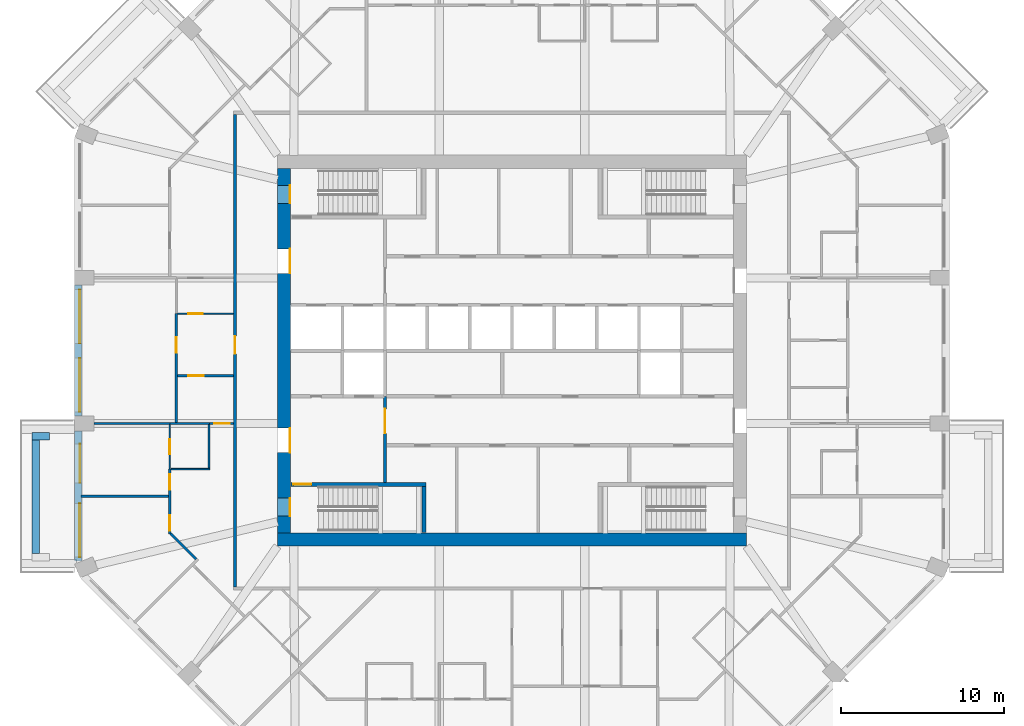
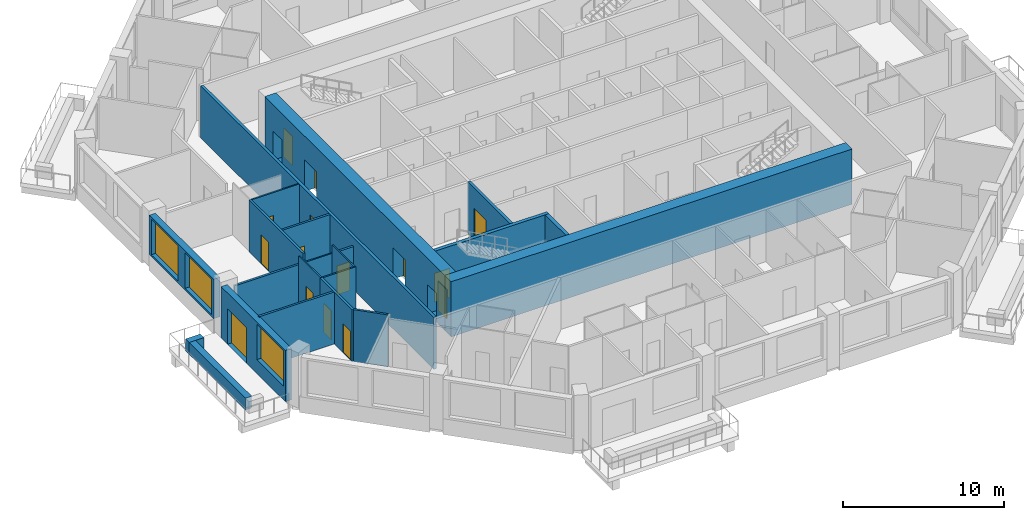
# One storey, part 4 of 12: 22 walls, 15 doors, 3 windows, 18 openings.
"""IFC4 building model written with IfcOpenShell, lengths in metres."""

from ifc_helpers import new_model, si_unit, direction, frame, frame_2d, origin, place, context, subcontext, project, spatial, rectangle, extrude, material, layer, layer_set, type_object, element, fill, save


model = new_model("IFC4")

# Units and contexts
model_context = context("Model", 3, precision=1e-05, world=origin(), true_north=direction((0.0, 1.0)))
body_context = subcontext(model_context, "Body", "Model", "MODEL_VIEW")
ifc_project = project(units=[si_unit("LENGTHUNIT", "METRE"), si_unit("AREAUNIT", "SQUARE_METRE"), si_unit("VOLUMEUNIT", "CUBIC_METRE"), si_unit("PLANEANGLEUNIT", "RADIAN"), si_unit("MASSUNIT", "GRAM", prefix="KILO")], contexts=[model_context])

# Site, building, storey
site_placement = place(None, origin())
site = spatial("IfcSite", under=ifc_project, at=site_placement, CompositionType="ELEMENT")
building_placement = place(site_placement, origin())
building = spatial("IfcBuilding", under=site, at=building_placement, Name="Msitu Wima Residences", CompositionType="ELEMENT")
storey_placement = place(building_placement, frame((0.0, 0.0, 127.5)))
storey = spatial("IfcBuildingStorey", under=building, at=storey_placement, Name="L29", CompositionType="ELEMENT", Elevation=127.5)

# Walls
ifc_material_1 = material(Name="Facing brick")
ifc_layer_1 = layer(ifc_material_1, 0.06494140625, Name="Facing brick")
ifc_material_2 = material(Name="Concrete C40/50", Category="concrete")
ifc_layer_2 = layer(ifc_material_2, 0.156005859375, Name="Concrete C40/50")
ifc_material_3 = material(Name="Waterproofing membrane")
ifc_layer_3 = layer(ifc_material_3, 0.00390625, Name="Waterproofing membrane")
ifc_material_4 = material(Name="Planting soil and planting")
ifc_layer_4 = layer(ifc_material_4, 0.22509765625, Name="Planting soil and planting")
ifc_layer_set_1 = layer_set([ifc_layer_1, ifc_layer_2, ifc_layer_3, ifc_layer_4], Name="Concrete C40/50")
wall_type_1 = type_object("IfcWallType", Name="Balcony planter PLANTER PL450", PredefinedType="USERDEFINED", material=ifc_layer_set_1)
wall_1_placement = place(storey_placement, frame((-29.22509765625, -5.468505859375, 0.0), z_axis=(0.0, 0.0, 1.0), x_axis=(0.0, -1.0, 0.0)))
element("IfcWall", 1, at=wall_1_placement, inside=storey, type_object=wall_type_1, Name="Balcony planter W2 L29", ObjectType="PLANTER", PredefinedType="USERDEFINED", context=body_context, shape_type="SweptSolid", body=[
    extrude(rectangle(XDim=6.9873046875, YDim=0.449951171875, at=frame_2d((3.49365234375, 0.0))), origin(), (0.0, 0.0, 1.0), 0.89990234375),
])
wall_2_placement = place(storey_placement, frame((-28.39990234375, -5.24365234375, 0.0), z_axis=(0.0, 0.0, 1.0), x_axis=(-1.0, 0.0, 0.0)))
element("IfcWall", 2, at=wall_2_placement, inside=storey, type_object=wall_type_1, Name="Balcony planter W2 L29", ObjectType="PLANTER", PredefinedType="USERDEFINED", context=body_context, shape_type="SweptSolid", body=[
    extrude(rectangle(XDim=1.050048828125, YDim=0.449951171875, at=frame_2d((0.52490234375, 0.0))), origin(), (0.0, 0.0, 1.0), 0.89990234375),
])

# Wall, openings, windows
ifc_material_5 = material(Name="Brick (red buff mix)", Category="masonry")
ifc_layer_5 = layer(ifc_material_5, 0.449951171875)
ifc_layer_set_2 = layer_set([ifc_layer_5], Name="Brick (red buff mix)")
wall_type_2 = type_object("IfcWallType", Name="Brick infill wall BW450", PredefinedType="SOLIDWALL", material=ifc_layer_set_2)
wall_3_placement = place(storey_placement, frame((-26.625, 4.0185546875, 0.89990234375), z_axis=(0.0, 0.0, 1.0), x_axis=(0.0, -1.0, 0.0)))
wall_3 = element("IfcWall", 3, at=wall_3_placement, inside=storey, type_object=wall_type_2, Name="Brick infill wall L29 W1", PredefinedType="SOLIDWALL", context=body_context, shape_type="SweptSolid", body=[
    extrude(rectangle(XDim=8.037109375, YDim=0.449951171875, at=frame_2d((4.0185546875, 0.0))), origin(), (0.0, 0.0, 1.0), 3.0),
])
opening_1_placement = place(wall_3_placement, frame((0.2685546875, 0.0, 0.14990234375)))
opening_1 = element("IfcOpeningElement", 4, at=opening_1_placement, cuts=wall_3, Name="Opening W27-29.031", PredefinedType="OPENING", context=body_context, shape_type="SweptSolid", body=[
    extrude(rectangle(XDim=3.300048828125, YDim=2.699951171875, at=frame_2d((1.64990234375, 1.35009765625))), frame((0.0, 0.23486328125, 0.0), z_axis=(0.0, -1.0, 0.0), x_axis=(1.0, 0.0, 0.0)), (0.0, 0.0, 1.0), 0.469970703125),
])
opening_2_placement = place(wall_3_placement, frame((4.46875, 0.0, 0.14990234375)))
opening_2 = element("IfcOpeningElement", 5, at=opening_2_placement, cuts=wall_3, Name="Opening W27-29.032", PredefinedType="OPENING", context=body_context, shape_type="SweptSolid", body=[
    extrude(rectangle(XDim=3.300048828125, YDim=2.699951171875, at=frame_2d((1.64990234375, 1.35009765625))), frame((0.0, 0.23486328125, 0.0), z_axis=(0.0, -1.0, 0.0), x_axis=(1.0, 0.0, 0.0)), (0.0, 0.0, 1.0), 0.469970703125),
])
ifc_material_6 = material(Name="Anodised aluminium, bronze finish, clear low-emissivity double glazing", Category="aluminium")
window_type = type_object("IfcWindowType", Name="Window W3300x2700", PartitioningType="DOUBLE_PANEL_VERTICAL", PredefinedType="WINDOW", material=ifc_material_6)
window_1_placement = place(opening_1_placement, origin())
window_1 = element("IfcWindow", 6, at=window_1_placement, inside=storey, type_object=window_type, Name="Window L29 W1.1", OverallHeight=2.699951171875, OverallWidth=3.300048828125, PartitioningType="SINGLE_PANEL", PredefinedType="WINDOW", context=body_context, shape_type="SweptSolid", body=[
    extrude(rectangle(XDim=3.300048828125, YDim=2.699951171875, at=frame_2d((1.64990234375, 1.35009765625))), frame((0.0, 0.135009765625, 0.0), z_axis=(0.0, -1.0, 0.0), x_axis=(1.0, 0.0, 0.0)), (0.0, 0.0, 1.0), 0.06005859375),
])
fill(opening_1, window_1)
window_2_placement = place(opening_2_placement, origin())
window_2 = element("IfcWindow", 7, at=window_2_placement, inside=storey, type_object=window_type, Name="Window L29 W1.2", OverallHeight=2.699951171875, OverallWidth=3.300048828125, PartitioningType="SINGLE_PANEL", PredefinedType="WINDOW", context=body_context, shape_type="SweptSolid", body=[
    extrude(rectangle(XDim=3.300048828125, YDim=2.699951171875, at=frame_2d((1.64990234375, 1.35009765625))), frame((0.0, 0.135009765625, 0.0), z_axis=(0.0, -1.0, 0.0), x_axis=(1.0, 0.0, 0.0)), (0.0, 0.0, 1.0), 0.06005859375),
])
fill(opening_2, window_2)

# Wall, openings, door, window
wall_4_placement = place(storey_placement, frame((-26.625, -4.918701171875, 0.0), z_axis=(0.0, 0.0, 1.0), x_axis=(0.0, -1.0, 0.0)))
wall_4 = element("IfcWall", 8, at=wall_4_placement, inside=storey, type_object=wall_type_2, Name="Brick infill wall L29 W2", PredefinedType="SOLIDWALL", context=body_context, shape_type="SweptSolid", body=[
    extrude(rectangle(XDim=8.0, YDim=0.449951171875, at=frame_2d((4.0, 0.0))), origin(), (0.0, 0.0, 1.0), 3.89990234375),
])
opening_3_placement = place(wall_4_placement, frame((0.800048828125, 0.0, 0.0)))
opening_3 = element("IfcOpeningElement", 9, at=opening_3_placement, cuts=wall_4, Name="Opening D27-29.007", PredefinedType="OPENING", context=body_context, shape_type="SweptSolid", body=[
    extrude(rectangle(XDim=2.39990234375, YDim=2.699951171875, at=frame_2d((1.199951171875, 1.35009765625))), frame((0.0, 0.23486328125, 0.0), z_axis=(0.0, -1.0, 0.0), x_axis=(1.0, 0.0, 0.0)), (0.0, 0.0, 1.0), 0.469970703125),
])
opening_4_placement = place(wall_4_placement, frame((4.4501953125, 0.0, 1.050048828125)))
opening_4 = element("IfcOpeningElement", 10, at=opening_4_placement, cuts=wall_4, Name="Opening W27-29.033", PredefinedType="OPENING", context=body_context, shape_type="SweptSolid", body=[
    extrude(rectangle(XDim=3.300048828125, YDim=2.699951171875, at=frame_2d((1.64990234375, 1.35009765625))), frame((0.0, 0.23486328125, 0.0), z_axis=(0.0, -1.0, 0.0), x_axis=(1.0, 0.0, 0.0)), (0.0, 0.0, 1.0), 0.469970703125),
])
door_type_1 = type_object("IfcDoorType", Name="Balcony door D2400x2700", OperationType="SLIDING_TO_LEFT", PredefinedType="DOOR", material=ifc_material_6)
door_1_placement = place(opening_3_placement, origin())
door_1 = element("IfcDoor", 11, at=door_1_placement, inside=storey, type_object=door_type_1, Name="Balcony door L29 W2", OperationType="SINGLE_SWING_LEFT", OverallHeight=2.699951171875, OverallWidth=2.39990234375, PredefinedType="DOOR", context=body_context, shape_type="SweptSolid", body=[
    extrude(rectangle(XDim=2.39990234375, YDim=2.699951171875, at=frame_2d((1.199951171875, 1.35009765625))), frame((0.0, 0.1298828125, 0.0), z_axis=(0.0, -1.0, 0.0), x_axis=(1.0, 0.0, 0.0)), (0.0, 0.0, 1.0), 0.050048828125),
])
fill(opening_3, door_1)
window_3_placement = place(opening_4_placement, origin())
window_3 = element("IfcWindow", 12, at=window_3_placement, inside=storey, type_object=window_type, Name="Window L29 W2.2", OverallHeight=2.699951171875, OverallWidth=3.300048828125, PartitioningType="SINGLE_PANEL", PredefinedType="WINDOW", context=body_context, shape_type="SweptSolid", body=[
    extrude(rectangle(XDim=3.300048828125, YDim=2.699951171875, at=frame_2d((1.64990234375, 1.35009765625))), frame((0.0, 0.135009765625, 0.0), z_axis=(0.0, -1.0, 0.0), x_axis=(1.0, 0.0, 0.0)), (0.0, 0.0, 1.0), 0.06005859375),
])
fill(opening_4, window_3)

# Wall
ifc_material_7 = material(Name="Concrete C70/85", Category="concrete")
ifc_layer_6 = layer(ifc_material_7, 0.800048828125)
ifc_layer_set_3 = layer_set([ifc_layer_6], Name="Concrete C70/85")
wall_type_3 = type_object("IfcWallType", Name="Core wall CW800 C70/85", PredefinedType="SHEAR", material=ifc_layer_set_3)
wall_5_placement = place(storey_placement, frame((-14.39990234375, -11.60009765625, 0.0), z_axis=(0.0, 0.0, 1.0), x_axis=(1.0, 0.0, 0.0)))
element("IfcWall", 13, at=wall_5_placement, inside=storey, type_object=wall_type_3, Name="Core wall", PredefinedType="SHEAR", context=body_context, shape_type="SweptSolid", body=[
    extrude(rectangle(XDim=28.7998046875, YDim=0.800048828125, at=frame_2d((14.39990234375, 0.0))), origin(), (0.0, 0.0, 1.0), 4.199951171875),
])

# Wall, openings, doors
wall_6_placement = place(storey_placement, frame((-14.0, -11.199951171875, 0.0), z_axis=(0.0, 0.0, 1.0), x_axis=(0.0, 1.0, 0.0)))
wall_6 = element("IfcWall", 14, at=wall_6_placement, inside=storey, type_object=wall_type_3, Name="Core wall", PredefinedType="SHEAR", context=body_context, shape_type="SweptSolid", body=[
    extrude(rectangle(XDim=22.39990234375, YDim=0.800048828125, at=frame_2d((11.199951171875, 0.0))), origin(), (0.0, 0.0, 1.0), 4.199951171875),
])
opening_5_placement = place(wall_6_placement, frame((20.25, 0.0, 0.0)))
opening_5 = element("IfcOpeningElement", 15, at=opening_5_placement, cuts=wall_6, Name="Opening D27-29.031", PredefinedType="OPENING", context=body_context, shape_type="SweptSolid", body=[
    extrude(rectangle(XDim=1.10009765625, YDim=2.199951171875, at=frame_2d((0.550048828125, 1.10009765625))), frame((0.0, 0.409912109375, 0.0), z_axis=(0.0, -1.0, 0.0), x_axis=(1.0, 0.0, 0.0)), (0.0, 0.0, 1.0), 0.820068359375),
])
opening_6_placement = place(wall_6_placement, frame((1.050048828125, 0.0, 0.0)))
opening_6 = element("IfcOpeningElement", 16, at=opening_6_placement, cuts=wall_6, Name="Opening D27-29.033", PredefinedType="OPENING", context=body_context, shape_type="SweptSolid", body=[
    extrude(rectangle(XDim=1.10009765625, YDim=2.199951171875, at=frame_2d((0.550048828125, 1.10009765625))), frame((0.0, 0.409912109375, 0.0), z_axis=(0.0, -1.0, 0.0), x_axis=(1.0, 0.0, 0.0)), (0.0, 0.0, 1.0), 0.820068359375),
])
opening_7_placement = place(wall_6_placement, frame((15.949951171875, 0.0, 0.0)))
opening_7 = element("IfcOpeningElement", 17, at=opening_7_placement, cuts=wall_6, Name="Opening D27-29.012", PredefinedType="OPENING", context=body_context, shape_type="SweptSolid", body=[
    extrude(rectangle(XDim=1.5, YDim=2.39990234375, at=frame_2d((0.75, 1.199951171875))), frame((0.0, 0.409912109375, 0.0), z_axis=(0.0, -1.0, 0.0), x_axis=(1.0, 0.0, 0.0)), (0.0, 0.0, 1.0), 0.820068359375),
])
opening_8_placement = place(wall_6_placement, frame((4.949951171875, 0.0, 0.0)))
opening_8 = element("IfcOpeningElement", 18, at=opening_8_placement, cuts=wall_6, Name="Opening D27-29.014", PredefinedType="OPENING", context=body_context, shape_type="SweptSolid", body=[
    extrude(rectangle(XDim=1.5, YDim=2.39990234375, at=frame_2d((0.75, 1.199951171875))), frame((0.0, 0.409912109375, 0.0), z_axis=(0.0, -1.0, 0.0), x_axis=(1.0, 0.0, 0.0)), (0.0, 0.0, 1.0), 0.820068359375),
])
ifc_material_8 = material(Name="Steel framed glazed door, fire resisting", Category="steel")
door_type_2 = type_object("IfcDoorType", Name="Lobby door D07 1500x2400", OperationType="DOUBLE_DOOR_SINGLE_SWING", PredefinedType="DOOR", material=ifc_material_8)
door_2_placement = place(opening_7_placement, origin())
door_2 = element("IfcDoor", 19, at=door_2_placement, inside=storey, type_object=door_type_2, Name="Lobby door", OperationType="DOUBLE_DOOR_SINGLE_SWING", OverallHeight=2.39990234375, OverallWidth=1.5, PredefinedType="DOOR", context=body_context, shape_type="SweptSolid", body=[
    extrude(rectangle(XDim=1.5, YDim=2.39990234375, at=frame_2d((0.75, 1.199951171875))), frame((0.0, -0.34521484375, 0.0), z_axis=(0.0, -1.0, 0.0), x_axis=(1.0, 0.0, 0.0)), (0.0, 0.0, 1.0), 0.050048828125),
])
fill(opening_7, door_2)
door_3_placement = place(opening_8_placement, origin())
door_3 = element("IfcDoor", 20, at=door_3_placement, inside=storey, type_object=door_type_2, Name="Lobby door", OperationType="DOUBLE_DOOR_SINGLE_SWING", OverallHeight=2.39990234375, OverallWidth=1.5, PredefinedType="DOOR", context=body_context, shape_type="SweptSolid", body=[
    extrude(rectangle(XDim=1.5, YDim=2.39990234375, at=frame_2d((0.75, 1.199951171875))), frame((0.0, -0.34521484375, 0.0), z_axis=(0.0, -1.0, 0.0), x_axis=(1.0, 0.0, 0.0)), (0.0, 0.0, 1.0), 0.050048828125),
])
fill(opening_8, door_3)
ifc_material_9 = material(Name="Steel door, fire resisting, panic bar", Category="steel")
door_type_3 = type_object("IfcDoorType", Name="Stair door D06 1100x2200", OperationType="SINGLE_SWING_LEFT", PredefinedType="DOOR", material=ifc_material_9)
door_4_placement = place(opening_5_placement, origin())
door_4 = element("IfcDoor", 21, at=door_4_placement, inside=storey, type_object=door_type_3, Name="Stair door", OperationType="SINGLE_SWING_RIGHT", OverallHeight=2.199951171875, OverallWidth=1.10009765625, PredefinedType="DOOR", context=body_context, shape_type="SweptSolid", body=[
    extrude(rectangle(XDim=1.10009765625, YDim=2.199951171875, at=frame_2d((0.550048828125, 1.10009765625))), frame((0.0, -0.34521484375, 0.0), z_axis=(0.0, -1.0, 0.0), x_axis=(1.0, 0.0, 0.0)), (0.0, 0.0, 1.0), 0.050048828125),
])
fill(opening_5, door_4)
door_5_placement = place(opening_6_placement, origin())
door_5 = element("IfcDoor", 22, at=door_5_placement, inside=storey, type_object=door_type_3, Name="Stair door", OperationType="SINGLE_SWING_LEFT", OverallHeight=2.199951171875, OverallWidth=1.10009765625, PredefinedType="DOOR", context=body_context, shape_type="SweptSolid", body=[
    extrude(rectangle(XDim=1.10009765625, YDim=2.199951171875, at=frame_2d((0.550048828125, 1.10009765625))), frame((0.0, -0.34521484375, 0.0), z_axis=(0.0, -1.0, 0.0), x_axis=(1.0, 0.0, 0.0)), (0.0, 0.0, 1.0), 0.050048828125),
])
fill(opening_6, door_5)

# Wall, opening, door
ifc_material_10 = material(Name="Plaster")
ifc_layer_7 = layer(ifc_material_10, 0.011962890625, Name="Plaster")
ifc_material_11 = material(Name="Concrete blockwork", Category="masonry")
ifc_layer_8 = layer(ifc_material_11, 0.176025390625, Name="Concrete blockwork")
ifc_layer_9 = layer(ifc_material_10, 0.011962890625, Name="Plaster")
ifc_layer_set_4 = layer_set([ifc_layer_7, ifc_layer_8, ifc_layer_9], Name="Concrete blockwork")
wall_type_4 = type_object("IfcWallType", Name="Corridor wall FW200", PredefinedType="PARTITIONING", material=ifc_layer_set_4)
wall_7_placement = place(storey_placement, frame((-17.0, -14.5, 0.0), z_axis=(0.0, 0.0, 1.0), x_axis=(0.0, 1.0, 0.0)))
wall_7 = element("IfcWall", 23, at=wall_7_placement, inside=storey, type_object=wall_type_4, Name="Corridor wall", PredefinedType="PARTITIONING", context=body_context, shape_type="SweptSolid", body=[
    extrude(rectangle(XDim=29.0, YDim=0.199951171875, at=frame_2d((14.5, 0.0))), origin(), (0.0, 0.0, 1.0), 3.949951171875),
])
opening_9_placement = place(wall_7_placement, frame((14.300048828125, 0.0, 0.0)))
opening_9 = element("IfcOpeningElement", 24, at=opening_9_placement, cuts=wall_7, Name="Opening D27-29.009", PredefinedType="OPENING", context=body_context, shape_type="SweptSolid", body=[
    extrude(rectangle(XDim=1.10009765625, YDim=2.39990234375, at=frame_2d((0.550048828125, 1.199951171875))), frame((0.0, 0.10986328125, 0.0), z_axis=(0.0, -1.0, 0.0), x_axis=(1.0, 0.0, 0.0)), (0.0, 0.0, 1.0), 0.219970703125),
])
ifc_material_12 = material(Name="Timber flush door, fire resisting, self-closing", Category="wood")
door_type_4 = type_object("IfcDoorType", Name="Flat entrance door D01 1100x2400", OperationType="SINGLE_SWING_LEFT", PredefinedType="DOOR", material=ifc_material_12)
door_6_placement = place(opening_9_placement, origin())
door_6 = element("IfcDoor", 25, at=door_6_placement, inside=storey, type_object=door_type_4, Name="Flat entrance door", OperationType="SINGLE_SWING_LEFT", OverallHeight=2.39990234375, OverallWidth=1.10009765625, PredefinedType="DOOR", context=body_context, shape_type="SweptSolid", body=[
    extrude(rectangle(XDim=1.10009765625, YDim=2.39990234375, at=frame_2d((0.550048828125, 1.199951171875))), frame((0.0, 0.02490234375, 0.0), z_axis=(0.0, -1.0, 0.0), x_axis=(1.0, 0.0, 0.0)), (0.0, 0.0, 1.0), 0.050048828125),
])
fill(opening_9, door_6)

wall_8_placement = place(storey_placement, frame((-7.800048828125, -8.074951171875, 0.0), z_axis=(0.0, 0.0, 1.0), x_axis=(0.0, 1.0, 0.0)))
wall_8 = element("IfcWall", 26, at=wall_8_placement, inside=storey, type_object=wall_type_4, Name="Corridor wall", PredefinedType="PARTITIONING", context=body_context, shape_type="SweptSolid", body=[
    extrude(rectangle(XDim=5.27490234375, YDim=0.199951171875, at=frame_2d((2.637451171875, 0.0))), origin(), (0.0, 0.0, 1.0), 3.949951171875),
])
opening_10_placement = place(wall_8_placement, frame((3.0, 0.0, 0.0)))
opening_10 = element("IfcOpeningElement", 27, at=opening_10_placement, cuts=wall_8, Name="Opening D27-29.015", PredefinedType="OPENING", context=body_context, shape_type="SweptSolid", body=[
    extrude(rectangle(XDim=1.5, YDim=2.39990234375, at=frame_2d((0.75, 1.199951171875))), frame((0.0, 0.10986328125, 0.0), z_axis=(0.0, -1.0, 0.0), x_axis=(1.0, 0.0, 0.0)), (0.0, 0.0, 1.0), 0.219970703125),
])
door_7_placement = place(opening_10_placement, origin())
door_7 = element("IfcDoor", 28, at=door_7_placement, inside=storey, type_object=door_type_2, Name="Lobby door", OperationType="DOUBLE_DOOR_SINGLE_SWING", OverallHeight=2.39990234375, OverallWidth=1.5, PredefinedType="DOOR", context=body_context, shape_type="SweptSolid", body=[
    extrude(rectangle(XDim=1.5, YDim=2.39990234375, at=frame_2d((0.75, 1.199951171875))), frame((0.0, 0.02490234375, 0.0), z_axis=(0.0, -1.0, 0.0), x_axis=(1.0, 0.0, 0.0)), (0.0, 0.0, 1.0), 0.050048828125),
])
fill(opening_10, door_7)

# Walls
ifc_layer_10 = layer(ifc_material_10, 0.011962890625, Name="Plaster")
ifc_layer_11 = layer(ifc_material_11, 0.1259765625, Name="Concrete blockwork")
ifc_layer_12 = layer(ifc_material_10, 0.011962890625, Name="Plaster")
ifc_layer_set_5 = layer_set([ifc_layer_10, ifc_layer_11, ifc_layer_12], Name="Concrete blockwork")
wall_type_5 = type_object("IfcWallType", Name="Partition PW150", PredefinedType="PARTITIONING", material=ifc_layer_set_5)
wall_9_placement = place(storey_placement, frame((-26.455078125, -8.937255859375, 0.0), z_axis=(0.0, 0.0, 1.0), x_axis=(1.0, 0.0, 0.0)))
element("IfcWall", 29, at=wall_9_placement, inside=storey, type_object=wall_type_5, Name="Partition", PredefinedType="PARTITIONING", context=body_context, shape_type="SweptSolid", body=[
    extrude(rectangle(XDim=5.380126953125, YDim=0.14990234375, at=frame_2d((2.68994140625, 0.0))), origin(), (0.0, 0.0, 1.0), 3.949951171875),
])
wall_10_placement = place(storey_placement, frame((-25.64990234375, -4.46875, 0.0), z_axis=(0.0, 0.0, 1.0), x_axis=(1.0, 0.0, 0.0)))
element("IfcWall", 30, at=wall_10_placement, inside=storey, type_object=wall_type_5, Name="Partition", PredefinedType="PARTITIONING", context=body_context, shape_type="SweptSolid", body=[
    extrude(rectangle(XDim=4.669921875, YDim=0.14990234375, at=frame_2d((2.3349609375, 0.0))), origin(), (0.0, 0.0, 1.0), 3.300048828125),
])

# Wall, openings, doors
wall_11_placement = place(storey_placement, frame((-21.0, -11.244140625, 0.0), z_axis=(0.0, 0.0, 1.0), x_axis=(0.0, 1.0, 0.0)))
wall_11 = element("IfcWall", 31, at=wall_11_placement, inside=storey, type_object=wall_type_5, Name="Partition", PredefinedType="PARTITIONING", context=body_context, shape_type="SweptSolid", body=[
    extrude(rectangle(XDim=3.99560546875, YDim=0.14990234375, at=frame_2d((1.997802734375, 0.0))), origin(), (0.0, 0.0, 1.0), 3.949951171875),
])
opening_11_placement = place(wall_11_placement, frame((2.699951171875, 0.0, 0.0)))
opening_11 = element("IfcOpeningElement", 32, at=opening_11_placement, cuts=wall_11, Name="Opening D27-29.060", PredefinedType="OPENING", context=body_context, shape_type="SweptSolid", body=[
    extrude(rectangle(XDim=0.949951171875, YDim=2.199951171875, at=frame_2d((0.47509765625, 1.10009765625))), frame((0.0, 0.0849609375, 0.0), z_axis=(0.0, -1.0, 0.0), x_axis=(1.0, 0.0, 0.0)), (0.0, 0.0, 1.0), 0.169921875),
])
opening_12_placement = place(wall_11_placement, frame((0.199951171875, 0.0, 0.0)))
opening_12 = element("IfcOpeningElement", 33, at=opening_12_placement, cuts=wall_11, Name="Opening D27-29.064", PredefinedType="OPENING", context=body_context, shape_type="SweptSolid", body=[
    extrude(rectangle(XDim=0.949951171875, YDim=2.199951171875, at=frame_2d((0.47509765625, 1.10009765625))), frame((0.0, 0.0849609375, 0.0), z_axis=(0.0, -1.0, 0.0), x_axis=(1.0, 0.0, 0.0)), (0.0, 0.0, 1.0), 0.169921875),
])
ifc_material_13 = material(Name="Timber flush door", Category="wood")
door_type_5 = type_object("IfcDoorType", Name="Room door D12 950x2200", OperationType="SINGLE_SWING_LEFT", PredefinedType="DOOR", material=ifc_material_13)
door_8_placement = place(opening_11_placement, origin())
door_8 = element("IfcDoor", 34, at=door_8_placement, inside=storey, type_object=door_type_5, Name="Room door", OperationType="SINGLE_SWING_LEFT", OverallHeight=2.199951171875, OverallWidth=0.949951171875, PredefinedType="DOOR", context=body_context, shape_type="SweptSolid", body=[
    extrude(rectangle(XDim=0.949951171875, YDim=2.199951171875, at=frame_2d((0.47509765625, 1.10009765625))), frame((0.0, 0.02490234375, 0.0), z_axis=(0.0, -1.0, 0.0), x_axis=(1.0, 0.0, 0.0)), (0.0, 0.0, 1.0), 0.050048828125),
])
fill(opening_11, door_8)
door_9_placement = place(opening_12_placement, origin())
door_9 = element("IfcDoor", 35, at=door_9_placement, inside=storey, type_object=door_type_5, Name="Room door", OperationType="SINGLE_SWING_RIGHT", OverallHeight=2.199951171875, OverallWidth=0.949951171875, PredefinedType="DOOR", context=body_context, shape_type="SweptSolid", body=[
    extrude(rectangle(XDim=0.949951171875, YDim=2.199951171875, at=frame_2d((0.47509765625, 1.10009765625))), frame((0.0, 0.02490234375, 0.0), z_axis=(0.0, -1.0, 0.0), x_axis=(1.0, 0.0, 0.0)), (0.0, 0.0, 1.0), 0.050048828125),
])
fill(opening_12, door_9)

# Wall
wall_12_placement = place(storey_placement, frame((-20.947021484375, -11.22216796875, 0.0), z_axis=(0.0, 0.0, 1.0), x_axis=(0.707106781187, -0.707106781187, 0.0)))
element("IfcWall", 36, at=wall_12_placement, inside=storey, type_object=wall_type_5, Name="Partition", PredefinedType="PARTITIONING", context=body_context, shape_type="SweptSolid", body=[
    extrude(rectangle(XDim=2.207275390625, YDim=0.14990234375, at=frame_2d((1.103515625, 0.0))), origin(), (0.0, 0.0, 1.0), 3.949951171875),
])

# Wall, opening, door
wall_13_placement = place(storey_placement, frame((-20.60009765625, -4.418701171875, 0.0), z_axis=(0.0, 0.0, 1.0), x_axis=(0.0, 1.0, 0.0)))
wall_13 = element("IfcWall", 37, at=wall_13_placement, inside=storey, type_object=wall_type_5, Name="Partition", PredefinedType="PARTITIONING", context=body_context, shape_type="SweptSolid", body=[
    extrude(rectangle(XDim=6.707275390625, YDim=0.14990234375, at=frame_2d((3.353515625, 0.0))), origin(), (0.0, 0.0, 1.0), 3.949951171875),
])
opening_13_placement = place(wall_13_placement, frame((4.300048828125, 0.0, 0.0)))
opening_13 = element("IfcOpeningElement", 38, at=opening_13_placement, cuts=wall_13, Name="Opening D27-29.049", PredefinedType="OPENING", context=body_context, shape_type="SweptSolid", body=[
    extrude(rectangle(XDim=0.949951171875, YDim=2.199951171875, at=frame_2d((0.47509765625, 1.10009765625))), frame((0.0, 0.0849609375, 0.0), z_axis=(0.0, -1.0, 0.0), x_axis=(1.0, 0.0, 0.0)), (0.0, 0.0, 1.0), 0.169921875),
])
door_10_placement = place(opening_13_placement, origin())
door_10 = element("IfcDoor", 39, at=door_10_placement, inside=storey, type_object=door_type_5, Name="Room door", OperationType="SINGLE_SWING_RIGHT", OverallHeight=2.199951171875, OverallWidth=0.949951171875, PredefinedType="DOOR", context=body_context, shape_type="SweptSolid", body=[
    extrude(rectangle(XDim=0.949951171875, YDim=2.199951171875, at=frame_2d((0.47509765625, 1.10009765625))), frame((0.0, 0.02490234375, 0.0), z_axis=(0.0, -1.0, 0.0), x_axis=(1.0, 0.0, 0.0)), (0.0, 0.0, 1.0), 0.050048828125),
])
fill(opening_13, door_10)

wall_14_placement = place(storey_placement, frame((-20.52490234375, -1.53125, 0.0), z_axis=(0.0, 0.0, 1.0), x_axis=(1.0, 0.0, 0.0)))
wall_14 = element("IfcWall", 40, at=wall_14_placement, inside=storey, type_object=wall_type_5, Name="Partition", PredefinedType="PARTITIONING", context=body_context, shape_type="SweptSolid", body=[
    extrude(rectangle(XDim=3.4248046875, YDim=0.14990234375, at=frame_2d((1.71240234375, 0.0))), origin(), (0.0, 0.0, 1.0), 3.949951171875),
])
opening_14_placement = place(wall_14_placement, frame((0.64990234375, 0.0, 0.0)))
opening_14 = element("IfcOpeningElement", 41, at=opening_14_placement, cuts=wall_14, Name="Opening D27-29.051", PredefinedType="OPENING", context=body_context, shape_type="SweptSolid", body=[
    extrude(rectangle(XDim=0.949951171875, YDim=2.199951171875, at=frame_2d((0.47509765625, 1.10009765625))), frame((0.0, 0.0849609375, 0.0), z_axis=(0.0, -1.0, 0.0), x_axis=(1.0, 0.0, 0.0)), (0.0, 0.0, 1.0), 0.169921875),
])
door_11_placement = place(opening_14_placement, origin())
door_11 = element("IfcDoor", 42, at=door_11_placement, inside=storey, type_object=door_type_5, Name="Room door", OperationType="SINGLE_SWING_RIGHT", OverallHeight=2.199951171875, OverallWidth=0.949951171875, PredefinedType="DOOR", context=body_context, shape_type="SweptSolid", body=[
    extrude(rectangle(XDim=0.949951171875, YDim=2.199951171875, at=frame_2d((0.47509765625, 1.10009765625))), frame((0.0, 0.02490234375, 0.0), z_axis=(0.0, -1.0, 0.0), x_axis=(1.0, 0.0, 0.0)), (0.0, 0.0, 1.0), 0.050048828125),
])
fill(opening_14, door_11)

wall_15_placement = place(storey_placement, frame((-18.580078125, -4.46875, 0.0), z_axis=(0.0, 0.0, 1.0), x_axis=(1.0, 0.0, 0.0)))
wall_15 = element("IfcWall", 43, at=wall_15_placement, inside=storey, type_object=wall_type_5, Name="Partition", PredefinedType="PARTITIONING", context=body_context, shape_type="SweptSolid", body=[
    extrude(rectangle(XDim=1.47998046875, YDim=0.14990234375, at=frame_2d((0.739990234375, 0.0))), origin(), (0.0, 0.0, 1.0), 3.300048828125),
])
opening_15_placement = place(wall_15_placement, frame((0.300048828125, 0.0, 0.0)))
opening_15 = element("IfcOpeningElement", 44, at=opening_15_placement, cuts=wall_15, Name="Opening D27-29.058", PredefinedType="OPENING", context=body_context, shape_type="SweptSolid", body=[
    extrude(rectangle(XDim=0.949951171875, YDim=2.199951171875, at=frame_2d((0.47509765625, 1.10009765625))), frame((0.0, 0.0849609375, 0.0), z_axis=(0.0, -1.0, 0.0), x_axis=(1.0, 0.0, 0.0)), (0.0, 0.0, 1.0), 0.169921875),
])
door_12_placement = place(opening_15_placement, origin())
door_12 = element("IfcDoor", 45, at=door_12_placement, inside=storey, type_object=door_type_5, Name="Room door", OperationType="SINGLE_SWING_RIGHT", OverallHeight=2.199951171875, OverallWidth=0.949951171875, PredefinedType="DOOR", context=body_context, shape_type="SweptSolid", body=[
    extrude(rectangle(XDim=0.949951171875, YDim=2.199951171875, at=frame_2d((0.47509765625, 1.10009765625))), frame((0.0, 0.02490234375, 0.0), z_axis=(0.0, -1.0, 0.0), x_axis=(1.0, 0.0, 0.0)), (0.0, 0.0, 1.0), 0.050048828125),
])
fill(opening_15, door_12)

ifc_material_14 = material(Name="Concrete C50/60", Category="concrete")
ifc_layer_13 = layer(ifc_material_14, 0.25)
ifc_layer_set_6 = layer_set([ifc_layer_13], Name="Concrete C50/60")
wall_type_6 = type_object("IfcWallType", Name="Stair enclosure wall SW250", PredefinedType="SHEAR", material=ifc_layer_set_6)
wall_16_placement = place(storey_placement, frame((-13.570068359375, -8.199951171875, 0.0), z_axis=(0.0, 0.0, 1.0), x_axis=(1.0, 0.0, 0.0)))
wall_16 = element("IfcWall", 46, at=wall_16_placement, inside=storey, type_object=wall_type_6, Name="Stair enclosure wall", PredefinedType="SHEAR", context=body_context, shape_type="SweptSolid", body=[
    extrude(rectangle(XDim=8.295166015625, YDim=0.25, at=frame_2d((4.1474609375, 0.0))), origin(), (0.0, 0.0, 1.0), 3.949951171875),
])
opening_16_placement = place(wall_16_placement, frame((0.14990234375, 0.0, 0.0)))
opening_16 = element("IfcOpeningElement", 47, at=opening_16_placement, cuts=wall_16, Name="Opening D27-29.034", PredefinedType="OPENING", context=body_context, shape_type="SweptSolid", body=[
    extrude(rectangle(XDim=1.10009765625, YDim=2.199951171875, at=frame_2d((0.550048828125, 1.10009765625))), frame((0.0, 0.135009765625, 0.0), z_axis=(0.0, -1.0, 0.0), x_axis=(1.0, 0.0, 0.0)), (0.0, 0.0, 1.0), 0.27001953125),
])
door_13_placement = place(opening_16_placement, origin())
door_13 = element("IfcDoor", 48, at=door_13_placement, inside=storey, type_object=door_type_3, Name="Stair door", OperationType="SINGLE_SWING_RIGHT", OverallHeight=2.199951171875, OverallWidth=1.10009765625, PredefinedType="DOOR", context=body_context, shape_type="SweptSolid", body=[
    extrude(rectangle(XDim=1.10009765625, YDim=2.199951171875, at=frame_2d((0.550048828125, 1.10009765625))), frame((0.0, 0.02490234375, 0.0), z_axis=(0.0, -1.0, 0.0), x_axis=(1.0, 0.0, 0.0)), (0.0, 0.0, 1.0), 0.050048828125),
])
fill(opening_16, door_13)

# Walls
wall_17_placement = place(storey_placement, frame((-5.39990234375, -11.169921875, 0.0), z_axis=(0.0, 0.0, 1.0), x_axis=(0.0, 1.0, 0.0)))
element("IfcWall", 49, at=wall_17_placement, inside=storey, type_object=wall_type_6, Name="Stair enclosure wall", PredefinedType="SHEAR", context=body_context, shape_type="SweptSolid", body=[
    extrude(rectangle(XDim=2.844970703125, YDim=0.25, at=frame_2d((1.42236328125, 0.0))), origin(), (0.0, 0.0, 1.0), 3.949951171875),
])
ifc_material_15 = material(Name="Ceramic tiles")
ifc_layer_14 = layer(ifc_material_15, 0.008056640625, Name="Ceramic tiles")
ifc_material_16 = material(Name="Moisture-resistant board")
ifc_layer_15 = layer(ifc_material_16, 0.012451171875, Name="Moisture-resistant board")
ifc_material_17 = material(Name="Light-gauge stud framing with mineral wool")
ifc_layer_16 = layer(ifc_material_17, 0.06689453125, Name="Light-gauge stud framing with mineral wool")
ifc_layer_17 = layer(ifc_material_16, 0.012451171875, Name="Moisture-resistant board")
ifc_layer_set_7 = layer_set([ifc_layer_14, ifc_layer_15, ifc_layer_16, ifc_layer_17], Name="Light-gauge stud framing with mineral wool")
wall_type_7 = type_object("IfcWallType", Name="Wet wall PW100", PredefinedType="PARTITIONING", material=ifc_layer_set_7)
wall_18_placement = place(storey_placement, frame((-20.97998046875, -4.46875, 0.0), z_axis=(0.0, 0.0, 1.0), x_axis=(1.0, 0.0, 0.0)))
element("IfcWall", 50, at=wall_18_placement, inside=storey, type_object=wall_type_7, Name="Wet wall", PredefinedType="PARTITIONING", context=body_context, shape_type="SweptSolid", body=[
    extrude(rectangle(XDim=2.39990234375, YDim=0.10009765625, at=frame_2d((1.199951171875, 0.0))), origin(), (0.0, 0.0, 1.0), 3.300048828125),
])

# Wall, opening, door
wall_19_placement = place(storey_placement, frame((-21.0, -7.24853515625, 0.0), z_axis=(0.0, 0.0, 1.0), x_axis=(0.0, 1.0, 0.0)))
wall_19 = element("IfcWall", 51, at=wall_19_placement, inside=storey, type_object=wall_type_7, Name="Wet wall", PredefinedType="PARTITIONING", context=body_context, shape_type="SweptSolid", body=[
    extrude(rectangle(XDim=2.704833984375, YDim=0.10009765625, at=frame_2d((1.3525390625, 0.0))), origin(), (0.0, 0.0, 1.0), 3.949951171875),
])
opening_17_placement = place(wall_19_placement, frame((0.89990234375, 0.0, 0.0)))
opening_17 = element("IfcOpeningElement", 52, at=opening_17_placement, cuts=wall_19, Name="Opening D27-29.061", PredefinedType="OPENING", context=body_context, shape_type="SweptSolid", body=[
    extrude(rectangle(XDim=0.89990234375, YDim=2.199951171875, at=frame_2d((0.449951171875, 1.10009765625))), frame((0.0, 0.06005859375, 0.0), z_axis=(0.0, -1.0, 0.0), x_axis=(1.0, 0.0, 0.0)), (0.0, 0.0, 1.0), 0.1201171875),
])
ifc_material_18 = material(Name="Timber flush door, moisture resistant", Category="wood")
door_type_6 = type_object("IfcDoorType", Name="Bathroom door D03 900x2200", OperationType="SINGLE_SWING_LEFT", PredefinedType="DOOR", material=ifc_material_18)
door_14_placement = place(opening_17_placement, origin())
door_14 = element("IfcDoor", 53, at=door_14_placement, inside=storey, type_object=door_type_6, Name="Bathroom door", OperationType="SINGLE_SWING_RIGHT", OverallHeight=2.199951171875, OverallWidth=0.89990234375, PredefinedType="DOOR", context=body_context, shape_type="SweptSolid", body=[
    extrude(rectangle(XDim=0.89990234375, YDim=2.199951171875, at=frame_2d((0.449951171875, 1.10009765625))), frame((0.0, 0.02490234375, 0.0), z_axis=(0.0, -1.0, 0.0), x_axis=(1.0, 0.0, 0.0)), (0.0, 0.0, 1.0), 0.050048828125),
])
fill(opening_17, door_14)

# Wall
wall_20_placement = place(storey_placement, frame((-20.925048828125, -7.2685546875, 0.0), z_axis=(0.0, 0.0, 1.0), x_axis=(1.0, 0.0, 0.0)))
element("IfcWall", 54, at=wall_20_placement, inside=storey, type_object=wall_type_7, Name="Wet wall", PredefinedType="PARTITIONING", context=body_context, shape_type="SweptSolid", body=[
    extrude(rectangle(XDim=2.375, YDim=0.10009765625, at=frame_2d((1.1875, 0.0))), origin(), (0.0, 0.0, 1.0), 3.949951171875),
])

# Wall, opening, door
wall_21_placement = place(storey_placement, frame((-20.52490234375, 2.2685546875, 0.0), z_axis=(0.0, 0.0, 1.0), x_axis=(1.0, 0.0, 0.0)))
wall_21 = element("IfcWall", 55, at=wall_21_placement, inside=storey, type_object=wall_type_7, Name="Wet wall", PredefinedType="PARTITIONING", context=body_context, shape_type="SweptSolid", body=[
    extrude(rectangle(XDim=3.4248046875, YDim=0.10009765625, at=frame_2d((1.71240234375, 0.0))), origin(), (0.0, 0.0, 1.0), 3.949951171875),
])
opening_18_placement = place(wall_21_placement, frame((0.64990234375, 0.0, 0.0)))
opening_18 = element("IfcOpeningElement", 56, at=opening_18_placement, cuts=wall_21, Name="Opening D27-29.050", PredefinedType="OPENING", context=body_context, shape_type="SweptSolid", body=[
    extrude(rectangle(XDim=0.89990234375, YDim=2.199951171875, at=frame_2d((0.449951171875, 1.10009765625))), frame((0.0, 0.06005859375, 0.0), z_axis=(0.0, -1.0, 0.0), x_axis=(1.0, 0.0, 0.0)), (0.0, 0.0, 1.0), 0.1201171875),
])
door_15_placement = place(opening_18_placement, origin())
door_15 = element("IfcDoor", 57, at=door_15_placement, inside=storey, type_object=door_type_6, Name="Bathroom door", OperationType="SINGLE_SWING_LEFT", OverallHeight=2.199951171875, OverallWidth=0.89990234375, PredefinedType="DOOR", context=body_context, shape_type="SweptSolid", body=[
    extrude(rectangle(XDim=0.89990234375, YDim=2.199951171875, at=frame_2d((0.449951171875, 1.10009765625))), frame((0.0, 0.02490234375, 0.0), z_axis=(0.0, -1.0, 0.0), x_axis=(1.0, 0.0, 0.0)), (0.0, 0.0, 1.0), 0.050048828125),
])
fill(opening_18, door_15)

# Wall
wall_22_placement = place(storey_placement, frame((-18.60009765625, -7.21875, 0.0), z_axis=(0.0, 0.0, 1.0), x_axis=(0.0, 1.0, 0.0)))
element("IfcWall", 58, at=wall_22_placement, inside=storey, type_object=wall_type_7, Name="Wet wall", PredefinedType="PARTITIONING", context=body_context, shape_type="SweptSolid", body=[
    extrude(rectangle(XDim=2.675048828125, YDim=0.10009765625, at=frame_2d((1.33740234375, 0.0))), origin(), (0.0, 0.0, 1.0), 3.949951171875),
])

save(model, "model.ifc")
